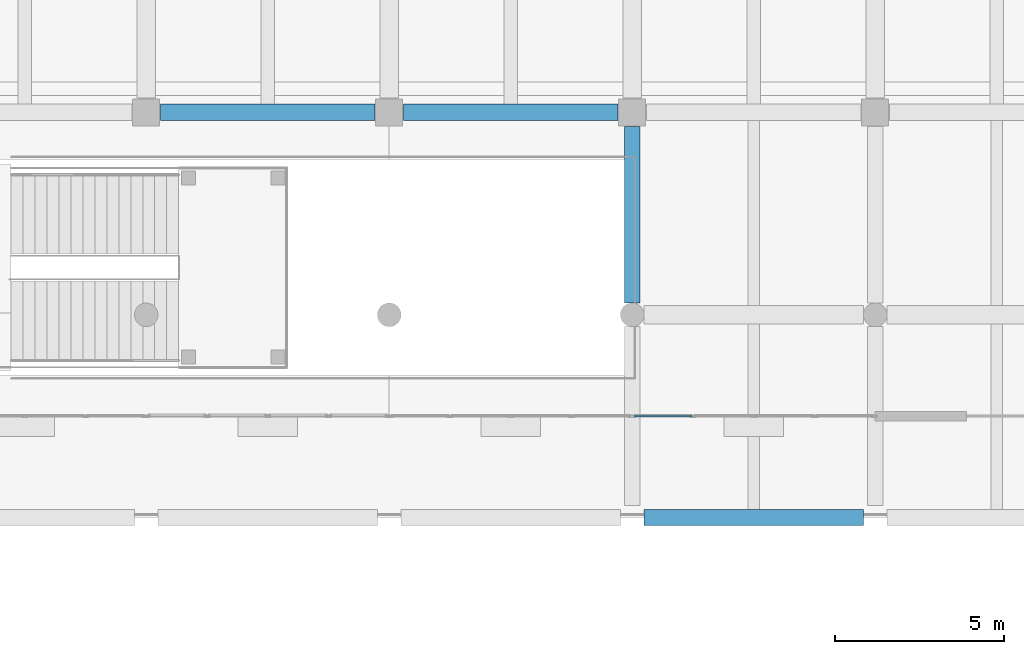
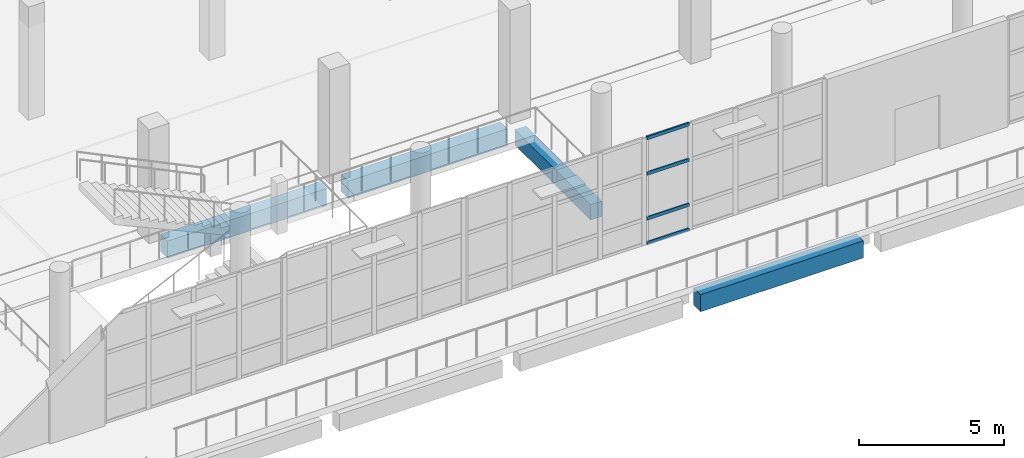
# One storey, part 15 of 79: 4 beams, 4 members, 1 element without a shape of its own.
"""IFC4 building model written with IfcOpenShell, lengths in metres."""

from ifc_helpers import new_model, si_unit, direction, frame, origin, origin_2d, place, context, subcontext, project, spatial, rectangle, hollow_rectangle, extrude, material, material_profile, profile_set, type_object, element, aggregate, save


model = new_model("IFC4")

# Units and contexts
model_context = context("Model", 3, precision=1e-05, world=origin(), true_north=direction((0.0, 1.0)))
body_context = subcontext(model_context, "Body", "Model", "MODEL_VIEW")
ifc_project = project(units=[si_unit("LENGTHUNIT", "METRE"), si_unit("AREAUNIT", "SQUARE_METRE"), si_unit("VOLUMEUNIT", "CUBIC_METRE"), si_unit("PLANEANGLEUNIT", "RADIAN"), si_unit("MASSUNIT", "GRAM", prefix="KILO")], contexts=[model_context])

# Site, building, storey
site_placement = place(None, origin())
site = spatial("IfcSite", under=ifc_project, at=site_placement, CompositionType="ELEMENT")
building_placement = place(site_placement, origin())
building = spatial("IfcBuilding", under=site, at=building_placement, Name="Pellamere Symphony Hall", CompositionType="ELEMENT")
storey_placement = place(building_placement, frame((0.0, 0.0, 10.199951171875)))
storey = spatial("IfcBuildingStorey", under=building, at=storey_placement, Name="L02", CompositionType="ELEMENT", Elevation=10.199951171875)

# Curtain wall, members
ifc_material_1 = material(Name="Thermally Broken Anodised Aluminium 6063-T6 Curtain Wall", Category="aluminium")
curtain_wall_type = type_object("IfcCurtainWallType", Name="Curtain Wall CW-02 (Winter-Garden South Concourse Curtain Wall)", PredefinedType="NOTDEFINED", material=ifc_material_1)
curtain_wall_placement = place(storey_placement, origin())
curtain_wall = element("IfcCurtainWall", 1, at=curtain_wall_placement, inside=storey, type_object=curtain_wall_type, Name="Winter-Garden South Curtain Wall (L02 Bay 8)", PredefinedType="NOTDEFINED")
ifc_material_2 = material(Name="Anodised Architectural Aluminium 6063-T6", Category="aluminium")
ifc_material_profile_1 = material_profile(ifc_material_2, hollow_rectangle(XDim=0.06494140625, YDim=0.139892578125, WallThickness=0.00390625, at=origin_2d()), Name="ALU-T65X140X4")
ifc_profile_set_1 = profile_set([ifc_material_profile_1], Name="Anodised Architectural Aluminium 6063-T6")
member_type = type_object("IfcMemberType", Name="Curtain Wall Transom TR-02 ALU-T65X140X4", PredefinedType="USERDEFINED", material=ifc_profile_set_1)
member_1_placement = place(storey_placement, frame((94.864990234375, 21.0, 0.032470703125), z_axis=(1.0, 0.0, 0.0), x_axis=(0.0, 1.0, 0.0)))
member_1 = element("IfcMember", 2, at=member_1_placement, type_object=member_type, Name="CW2-083 crystal transom 1.1", ObjectType="TRANSOM", PredefinedType="USERDEFINED", context=body_context, shape_type="SweptSolid", body=[
    extrude(hollow_rectangle(XDim=0.06494140625, YDim=0.139892578125, WallThickness=0.00390625, at=origin_2d()), origin(), (0.0, 0.0, 1.0), 1.702392578125),
])
member_2_placement = place(storey_placement, frame((94.864990234375, 21.0, 1.080078125), z_axis=(1.0, 0.0, 0.0), x_axis=(0.0, 1.0, 0.0)))
member_2 = element("IfcMember", 3, at=member_2_placement, type_object=member_type, Name="CW2-083 crystal transom 1.2", ObjectType="TRANSOM", PredefinedType="USERDEFINED", context=body_context, shape_type="SweptSolid", body=[
    extrude(hollow_rectangle(XDim=0.06494140625, YDim=0.139892578125, WallThickness=0.00390625, at=origin_2d()), origin(), (0.0, 0.0, 1.0), 1.702392578125),
])
member_3_placement = place(storey_placement, frame((94.864990234375, 21.0, 2.969970703125), z_axis=(1.0, 0.0, 0.0), x_axis=(0.0, 1.0, 0.0)))
member_3 = element("IfcMember", 4, at=member_3_placement, type_object=member_type, Name="CW2-083 crystal transom 1.3", ObjectType="TRANSOM", PredefinedType="USERDEFINED", context=body_context, shape_type="SweptSolid", body=[
    extrude(hollow_rectangle(XDim=0.06494140625, YDim=0.139892578125, WallThickness=0.00390625, at=origin_2d()), origin(), (0.0, 0.0, 1.0), 1.702392578125),
])
member_4_placement = place(storey_placement, frame((94.864990234375, 21.0, 4.467529296875), z_axis=(1.0, 0.0, 0.0), x_axis=(0.0, 1.0, 0.0)))
member_4 = element("IfcMember", 5, at=member_4_placement, type_object=member_type, Name="CW2-083 crystal transom 1.4", ObjectType="TRANSOM", PredefinedType="USERDEFINED", context=body_context, shape_type="SweptSolid", body=[
    extrude(hollow_rectangle(XDim=0.06494140625, YDim=0.139892578125, WallThickness=0.00390625, at=origin_2d()), origin(), (0.0, 0.0, 1.0), 1.702392578125),
])
aggregate(curtain_wall, [member_1, member_2, member_3, member_4])

# Beams
ifc_material_3 = material(Name="Concrete 40 MPa", Category="concrete")
ifc_material_profile_2 = material_profile(ifc_material_3, rectangle(XDim=0.449951171875, YDim=0.64990234375, at=origin_2d()), Name="RC 450x650")
ifc_profile_set_2 = profile_set([ifc_material_profile_2], Name="Concrete 40 MPa")
beam_type_1 = type_object("IfcBeamType", Name="RC CB-08 450x650", PredefinedType="BEAM", material=ifc_profile_set_2)
beam_1_placement = place(storey_placement, frame((94.800048828125, 24.35009765625, -0.60498046875), z_axis=(0.0, 1.0, 0.0), x_axis=(-1.0, 0.0, 0.0)))
element("IfcBeam", 6, at=beam_1_placement, inside=storey, type_object=beam_type_1, Name="Girder CB-08-Y1296 (L02)", PredefinedType="BEAM", context=body_context, shape_type="SweptSolid", body=[
    extrude(rectangle(XDim=0.449951171875, YDim=0.64990234375, at=origin_2d()), origin(), (0.0, 0.0, 1.0), 5.224853515625),
])
ifc_material_profile_3 = material_profile(ifc_material_3, rectangle(XDim=0.47998046875, YDim=0.719970703125, at=origin_2d()), Name="RC 480x720")
ifc_profile_set_3 = profile_set([ifc_material_profile_3], Name="Concrete 40 MPa")
beam_type_2 = type_object("IfcBeamType", Name="RC CB-14 480x720", PredefinedType="SPANDREL", material=ifc_profile_set_3)
beam_2_placement = place(storey_placement, frame((95.14990234375, 18.0, -0.639892578125), z_axis=(1.0, 0.0, 0.0), x_axis=(0.0, 1.0, 0.0)))
element("IfcBeam", 7, at=beam_2_placement, inside=storey, type_object=beam_type_2, Name="Girder CB-14-X1047 (L02)", PredefinedType="SPANDREL", context=body_context, shape_type="SweptSolid", body=[
    extrude(rectangle(XDim=0.47998046875, YDim=0.719970703125, at=origin_2d()), origin(), (0.0, 0.0, 1.0), 6.5),
])
for number, where, z_axis, x_axis, name in (
    (8, (80.824951171875, 30.0, -0.639892578125), (1.0, 0.0, 0.0), (0.0, 1.0, 0.0), "Girder CB-14-X1078 (L02)"),
    (9, (88.02490234375, 30.0, -0.639892578125), (1.0, 0.0, 0.0), (0.0, 1.0, 0.0), "Girder CB-14-X1079 (L02)"),
):
    element("IfcBeam", number, at=place(storey_placement, frame(where, z_axis=z_axis, x_axis=x_axis)), inside=storey, type_object=beam_type_2, Name=name, PredefinedType="SPANDREL", context=body_context, shape_type="SweptSolid", body=[
        extrude(rectangle(XDim=0.47998046875, YDim=0.719970703125, at=origin_2d()), origin(), (0.0, 0.0, 1.0), 6.35009765625),
    ])

save(model, "model.ifc")
